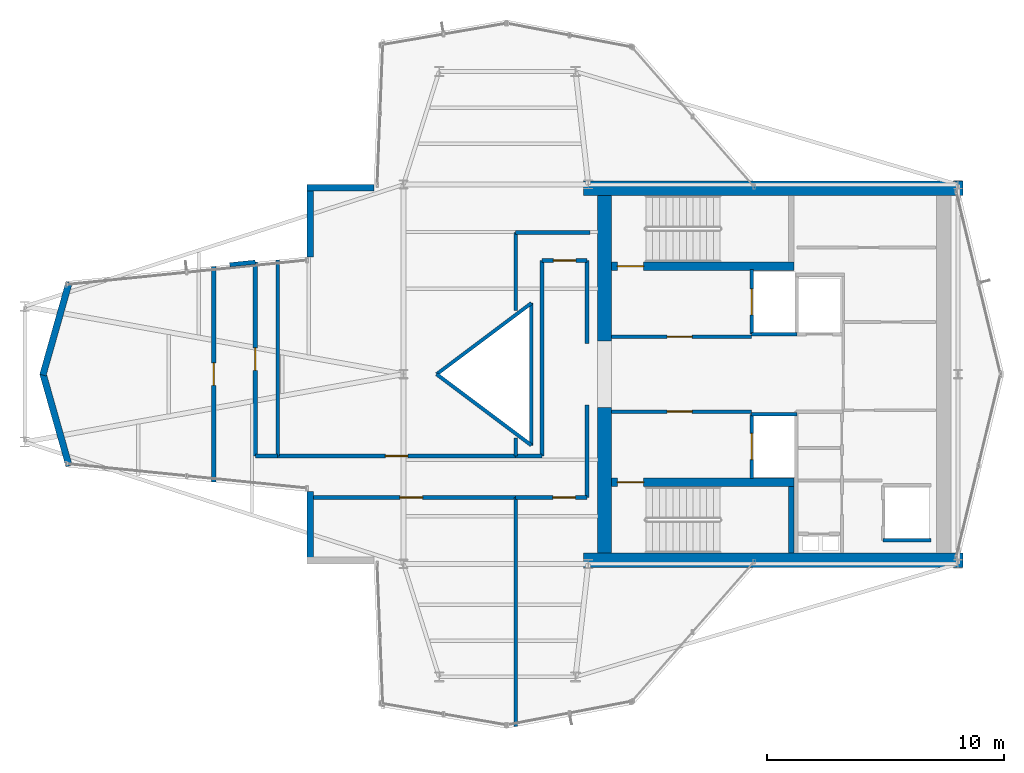
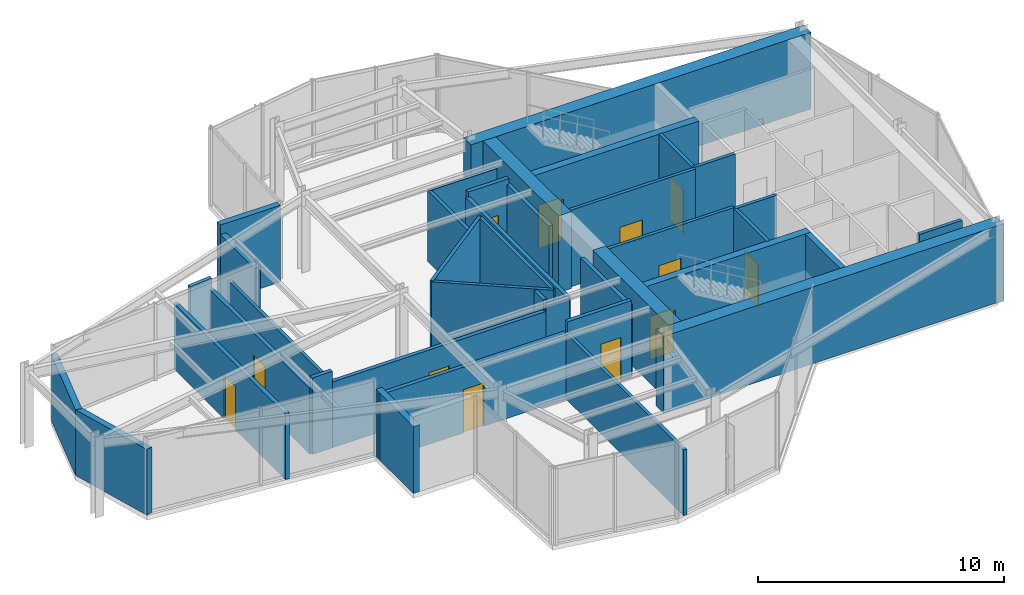
# One storey, part 13 of 15: 39 walls, 12 doors, 12 openings.
"""IFC4 building model written with IfcOpenShell, lengths in metres."""

from ifc_helpers import new_model, si_unit, direction, frame, frame_2d, origin, place, context, subcontext, project, spatial, rectangle, extrude, material, layer, layer_set, type_object, element, fill, save


model = new_model("IFC4")

# Units and contexts
model_context = context("Model", 3, precision=1e-05, world=origin(), true_north=direction((0.0, 1.0)))
body_context = subcontext(model_context, "Body", "Model", "MODEL_VIEW")
ifc_project = project(units=[si_unit("LENGTHUNIT", "METRE"), si_unit("AREAUNIT", "SQUARE_METRE"), si_unit("VOLUMEUNIT", "CUBIC_METRE"), si_unit("PLANEANGLEUNIT", "RADIAN"), si_unit("MASSUNIT", "GRAM", prefix="KILO")], contexts=[model_context])

# Site, building, storey
site_placement = place(None, origin())
site = spatial("IfcSite", under=ifc_project, at=site_placement, CompositionType="ELEMENT")
building_placement = place(site_placement, origin())
building = spatial("IfcBuilding", under=site, at=building_placement, Name="Veymaron Broadcast Tower", CompositionType="ELEMENT")
storey_placement = place(building_placement, frame((0.0, 0.0, 266.85009765625)))
storey = spatial("IfcBuildingStorey", under=building, at=storey_placement, Name="L62", CompositionType="ELEMENT", Elevation=266.85009765625)

# Walls
ifc_material_1 = material(Name="Precast concrete C40/50", Category="concrete")
ifc_layer_1 = layer(ifc_material_1, 0.280029296875)
ifc_layer_set_1 = layer_set([ifc_layer_1], Name="Precast concrete C40/50")
wall_type_1 = type_object("IfcWallType", Name="WALL-EXT-280", PredefinedType="STANDARD", material=ifc_layer_set_1)
wall_1_placement = place(storey_placement, frame((29.95361328125, 31.860107421875, 0.0), z_axis=(0.0, 0.0, 1.0), x_axis=(-1.0, 0.0, 0.0)))
element("IfcWall", 1, at=wall_1_placement, inside=storey, type_object=wall_type_1, Name="L62 notched corner facade pier 9-1", PredefinedType="STANDARD", context=body_context, shape_type="SweptSolid", body=[
    extrude(rectangle(XDim=2.83203125, YDim=0.280029296875, at=frame_2d((1.416015625, 0.0))), origin(), (0.0, 0.0, 1.0), 3.809814453125),
])
wall_2_placement = place(storey_placement, frame((27.26171875, 32.0, 0.0), z_axis=(0.0, 0.0, 1.0), x_axis=(0.0, -1.0, 0.0)))
element("IfcWall", 2, at=wall_2_placement, inside=storey, type_object=wall_type_1, Name="L62 notched corner facade pier 10-1", PredefinedType="STANDARD", context=body_context, shape_type="SweptSolid", body=[
    extrude(rectangle(XDim=3.05126953125, YDim=0.280029296875, at=frame_2d((1.525634765625, 0.0))), origin(), (0.0, 0.0, 1.0), 3.3388671875),
])
for number, where, z_axis, x_axis, name in (
    (3, (17.0947265625, 27.87744140625, 0.0), (0.0, 0.0, 1.0), (-0.27248594836, -0.962159762174, 0.0), "L62 notched corner facade pier 12-1"),
    (4, (15.98583984375, 24.0380859375, 0.0), (0.0, 0.0, 1.0), (0.27248594836, -0.962159762174, 0.0), "L62 notched corner facade pier 13-1"),
):
    element("IfcWall", number, at=place(storey_placement, frame(where, z_axis=z_axis, x_axis=x_axis)), inside=storey, type_object=wall_type_1, Name=name, PredefinedType="STANDARD", context=body_context, shape_type="SweptSolid", body=[
        extrude(rectangle(XDim=4.069580078125, YDim=0.280029296875, at=frame_2d((2.03466796875, 0.0))), origin(), (0.0, 0.0, 1.0), 3.27001953125),
    ])
wall_3_placement = place(storey_placement, frame((27.26171875, 19.05126953125, 0.0), z_axis=(0.0, 0.0, 1.0), x_axis=(0.0, -1.0, 0.0)))
element("IfcWall", 5, at=wall_3_placement, inside=storey, type_object=wall_type_1, Name="L62 notched corner facade pier 15-1", PredefinedType="STANDARD", context=body_context, shape_type="SweptSolid", body=[
    extrude(rectangle(XDim=3.05126953125, YDim=0.280029296875, at=frame_2d((1.525634765625, 0.0))), origin(), (0.0, 0.0, 1.0), 3.3388671875),
])

# Wall, opening, door
ifc_material_2 = material(Name="Gypsum fireboard and steel stud framing", Category="steel")
ifc_layer_2 = layer(ifc_material_2, 0.14990234375)
ifc_layer_set_2 = layer_set([ifc_layer_2], Name="Gypsum fireboard and steel stud framing")
wall_type_2 = type_object("IfcWallType", Name="WALL-FIRE-150", PredefinedType="PARTITIONING", material=ifc_layer_set_2)
wall_4_placement = place(storey_placement, frame((39.97998046875, 25.574951171875, 0.0), z_axis=(0.0, 0.0, 1.0), x_axis=(1.0, 0.0, 0.0)))
wall_4 = element("IfcWall", 6, at=wall_4_placement, inside=storey, type_object=wall_type_2, Name="L62 partition IW-L62-FFLN-S", PredefinedType="PARTITIONING", context=body_context, shape_type="SweptSolid", body=[
    extrude(rectangle(XDim=5.89990234375, YDim=0.14990234375, at=frame_2d((2.949951171875, 0.0))), origin(), (0.0, 0.0, 1.0), 3.809814453125),
])
opening_1_placement = place(wall_4_placement, frame((2.35009765625, 0.0, 0.0)))
opening_1 = element("IfcOpeningElement", 7, at=opening_1_placement, cuts=wall_4, Name="Opening ID-FL1", PredefinedType="OPENING", context=body_context, shape_type="SweptSolid", body=[
    extrude(rectangle(XDim=1.050048828125, YDim=2.14990234375, at=frame_2d((0.52490234375, 1.074951171875))), frame((0.0, 0.0849609375, 0.0), z_axis=(0.0, -1.0, 0.0), x_axis=(1.0, 0.0, 0.0)), (0.0, 0.0, 1.0), 0.169921875),
])
ifc_material_3 = material(Name="Fire-rated painted hollow steel ASTM A653", Category="steel")
door_type_1 = type_object("IfcDoorType", Name="DOOR-FIRE-1050", OperationType="NOTDEFINED", PredefinedType="DOOR", material=ifc_material_3)
door_1_placement = place(opening_1_placement, origin())
door_1 = element("IfcDoor", 8, at=door_1_placement, inside=storey, type_object=door_type_1, Name="L62 door DR-L62-FFLN", OperationType="SINGLE_SWING_LEFT", OverallHeight=2.14990234375, OverallWidth=1.050048828125, PredefinedType="DOOR", context=body_context, shape_type="SweptSolid", body=[
    extrude(rectangle(XDim=1.050048828125, YDim=2.14990234375, at=frame_2d((0.52490234375, 1.074951171875))), frame((0.0, 0.02490234375, 0.0), z_axis=(0.0, -1.0, 0.0), x_axis=(1.0, 0.0, 0.0)), (0.0, 0.0, 1.0), 0.050048828125),
])
fill(opening_1, door_1)

wall_5_placement = place(storey_placement, frame((39.97998046875, 22.425048828125, 0.0), z_axis=(0.0, 0.0, 1.0), x_axis=(1.0, 0.0, 0.0)))
wall_5 = element("IfcWall", 9, at=wall_5_placement, inside=storey, type_object=wall_type_2, Name="L62 partition IW-L62-FFLS-N", PredefinedType="PARTITIONING", context=body_context, shape_type="SweptSolid", body=[
    extrude(rectangle(XDim=5.89990234375, YDim=0.14990234375, at=frame_2d((2.949951171875, 0.0))), origin(), (0.0, 0.0, 1.0), 3.809814453125),
])
opening_2_placement = place(wall_5_placement, frame((2.35009765625, 0.0, 0.0)))
opening_2 = element("IfcOpeningElement", 10, at=opening_2_placement, cuts=wall_5, Name="Opening ID-FL1", PredefinedType="OPENING", context=body_context, shape_type="SweptSolid", body=[
    extrude(rectangle(XDim=1.050048828125, YDim=2.14990234375, at=frame_2d((0.52490234375, 1.074951171875))), frame((0.0, 0.0849609375, 0.0), z_axis=(0.0, -1.0, 0.0), x_axis=(1.0, 0.0, 0.0)), (0.0, 0.0, 1.0), 0.169921875),
])
door_2_placement = place(opening_2_placement, frame((1.050048828125, 0.0, 0.0), z_axis=(0.0, 0.0, 1.0), x_axis=(-1.0, 0.0, 0.0)))
door_2 = element("IfcDoor", 11, at=door_2_placement, inside=storey, type_object=door_type_1, Name="L62 door DR-L62-FFLS", OperationType="SINGLE_SWING_RIGHT", OverallHeight=2.14990234375, OverallWidth=1.050048828125, PredefinedType="DOOR", context=body_context, shape_type="SweptSolid", body=[
    extrude(rectangle(XDim=1.050048828125, YDim=2.14990234375, at=frame_2d((0.52490234375, 1.074951171875))), frame((0.0, 0.02490234375, 0.0), z_axis=(0.0, -1.0, 0.0), x_axis=(1.0, 0.0, 0.0)), (0.0, 0.0, 1.0), 0.050048828125),
])
fill(opening_2, door_2)

wall_6_placement = place(storey_placement, frame((45.89501953125, 25.68994140625, 0.0), z_axis=(0.0, 0.0, 1.0), x_axis=(0.0, 1.0, 0.0)))
wall_6 = element("IfcWall", 12, at=wall_6_placement, inside=storey, type_object=wall_type_2, Name="L62 partition IW-L62-SHW-FFL-1", PredefinedType="PARTITIONING", context=body_context, shape_type="SweptSolid", body=[
    extrude(rectangle(XDim=2.719970703125, YDim=0.14990234375, at=frame_2d((1.35986328125, 0.0))), origin(), (0.0, 0.0, 1.0), 3.809814453125),
])
opening_3_placement = place(wall_6_placement, frame((0.81005859375, 0.0, 0.0)))
opening_3 = element("IfcOpeningElement", 13, at=opening_3_placement, cuts=wall_6, Name="Opening LD", PredefinedType="OPENING", context=body_context, shape_type="SweptSolid", body=[
    extrude(rectangle(XDim=1.10009765625, YDim=2.14990234375, at=frame_2d((0.550048828125, 1.074951171875))), frame((0.0, 0.0849609375, 0.0), z_axis=(0.0, -1.0, 0.0), x_axis=(1.0, 0.0, 0.0)), (0.0, 0.0, 1.0), 0.169921875),
])
ifc_material_4 = material(Name="Brushed stainless steel AISI 304", Category="steel")
door_type_2 = type_object("IfcDoorType", Name="DOOR-LIFT-1100", OperationType="DOUBLE_DOOR_SLIDING", PredefinedType="DOOR", material=ifc_material_4)
door_3_placement = place(opening_3_placement, frame((1.10009765625, 0.0, 0.0), z_axis=(0.0, 0.0, 1.0), x_axis=(-1.0, 0.0, 0.0)))
door_3 = element("IfcDoor", 14, at=door_3_placement, inside=storey, type_object=door_type_2, Name="L62 door LD-L62-FFL-1", OperationType="DOUBLE_DOOR_SLIDING", OverallHeight=2.14990234375, OverallWidth=1.10009765625, PredefinedType="DOOR", context=body_context, shape_type="SweptSolid", body=[
    extrude(rectangle(XDim=1.10009765625, YDim=2.14990234375, at=frame_2d((0.550048828125, 1.074951171875))), frame((0.0, 0.02490234375, 0.0), z_axis=(0.0, -1.0, 0.0), x_axis=(1.0, 0.0, 0.0)), (0.0, 0.0, 1.0), 0.050048828125),
])
fill(opening_3, door_3)

# Wall
wall_7_placement = place(storey_placement, frame((45.89501953125, 25.68994140625, 0.0), z_axis=(0.0, 0.0, 1.0), x_axis=(1.0, 0.0, 0.0)))
element("IfcWall", 15, at=wall_7_placement, inside=storey, type_object=wall_type_2, Name="L62 partition IW-L62-SHS-FFL-1", PredefinedType="PARTITIONING", context=body_context, shape_type="SweptSolid", body=[
    extrude(rectangle(XDim=1.9150390625, YDim=0.14990234375, at=frame_2d((0.95751953125, 0.0))), origin(), (0.0, 0.0, 1.0), 3.809814453125),
])

# Wall, opening, door
wall_8_placement = place(storey_placement, frame((45.89501953125, 19.590087890625, 0.0), z_axis=(0.0, 0.0, 1.0), x_axis=(0.0, 1.0, 0.0)))
wall_8 = element("IfcWall", 16, at=wall_8_placement, inside=storey, type_object=wall_type_2, Name="L62 partition IW-L62-SHW-FFL-2", PredefinedType="PARTITIONING", context=body_context, shape_type="SweptSolid", body=[
    extrude(rectangle(XDim=2.719970703125, YDim=0.14990234375, at=frame_2d((1.35986328125, 0.0))), origin(), (0.0, 0.0, 1.0), 3.809814453125),
])
opening_4_placement = place(wall_8_placement, frame((0.81005859375, 0.0, 0.0)))
opening_4 = element("IfcOpeningElement", 17, at=opening_4_placement, cuts=wall_8, Name="Opening LD", PredefinedType="OPENING", context=body_context, shape_type="SweptSolid", body=[
    extrude(rectangle(XDim=1.10009765625, YDim=2.14990234375, at=frame_2d((0.550048828125, 1.074951171875))), frame((0.0, 0.0849609375, 0.0), z_axis=(0.0, -1.0, 0.0), x_axis=(1.0, 0.0, 0.0)), (0.0, 0.0, 1.0), 0.169921875),
])
door_4_placement = place(opening_4_placement, frame((1.10009765625, 0.0, 0.0), z_axis=(0.0, 0.0, 1.0), x_axis=(-1.0, 0.0, 0.0)))
door_4 = element("IfcDoor", 18, at=door_4_placement, inside=storey, type_object=door_type_2, Name="L62 door LD-L62-FFL-2", OperationType="DOUBLE_DOOR_SLIDING", OverallHeight=2.14990234375, OverallWidth=1.10009765625, PredefinedType="DOOR", context=body_context, shape_type="SweptSolid", body=[
    extrude(rectangle(XDim=1.10009765625, YDim=2.14990234375, at=frame_2d((0.550048828125, 1.074951171875))), frame((0.0, 0.02490234375, 0.0), z_axis=(0.0, -1.0, 0.0), x_axis=(1.0, 0.0, 0.0)), (0.0, 0.0, 1.0), 0.050048828125),
])
fill(opening_4, door_4)

# Walls
wall_9_placement = place(storey_placement, frame((45.89501953125, 22.31005859375, 0.0), z_axis=(0.0, 0.0, 1.0), x_axis=(1.0, 0.0, 0.0)))
element("IfcWall", 19, at=wall_9_placement, inside=storey, type_object=wall_type_2, Name="L62 partition IW-L62-SHN-FFL-2", PredefinedType="PARTITIONING", context=body_context, shape_type="SweptSolid", body=[
    extrude(rectangle(XDim=1.9150390625, YDim=0.14990234375, at=frame_2d((0.95751953125, 0.0))), origin(), (0.0, 0.0, 1.0), 3.809814453125),
])
wall_10_placement = place(storey_placement, frame((51.445068359375, 16.989990234375, 0.0), z_axis=(0.0, 0.0, 1.0), x_axis=(1.0, 0.0, 0.0)))
element("IfcWall", 20, at=wall_10_placement, inside=storey, type_object=wall_type_2, Name="L62 partition IW-L62-SHS-PH1", PredefinedType="PARTITIONING", context=body_context, shape_type="SweptSolid", body=[
    extrude(rectangle(XDim=2.014892578125, YDim=0.14990234375, at=frame_2d((1.00732421875, 0.0))), origin(), (0.0, 0.0, 1.0), 3.809814453125),
])

# Wall, opening, door
ifc_material_5 = material(Name="Concrete C40/50", Category="concrete")
ifc_layer_3 = layer(ifc_material_5, 0.179931640625)
ifc_layer_set_3 = layer_set([ifc_layer_3], Name="Concrete C40/50")
wall_type_3 = type_object("IfcWallType", Name="WALL-FIRE-180", PredefinedType="SOLIDWALL", material=ifc_layer_set_3)
wall_11_placement = place(storey_placement, frame((35.93798828125, 18.800048828125, 0.0), z_axis=(0.0, 0.0, 1.0), x_axis=(1.0, 0.0, 0.0)))
wall_11 = element("IfcWall", 21, at=wall_11_placement, inside=storey, type_object=wall_type_3, Name="L62 partition IW-L62-P02", PredefinedType="SOLIDWALL", context=body_context, shape_type="SweptSolid", body=[
    extrude(rectangle(XDim=3.011962890625, YDim=0.179931640625, at=frame_2d((1.505859375, 0.0))), origin(), (0.0, 0.0, 1.0), 3.809814453125),
])
opening_5_placement = place(wall_11_placement, frame((1.571044921875, 0.0, 0.0)))
opening_5 = element("IfcOpeningElement", 22, at=opening_5_placement, cuts=wall_11, Name="Opening ID-RM1", PredefinedType="OPENING", context=body_context, shape_type="SweptSolid", body=[
    extrude(rectangle(XDim=0.949951171875, YDim=2.14990234375, at=frame_2d((0.47509765625, 1.074951171875))), frame((0.0, 0.10009765625, 0.0), z_axis=(0.0, -1.0, 0.0), x_axis=(1.0, 0.0, 0.0)), (0.0, 0.0, 1.0), 0.199951171875),
])
ifc_material_6 = material(Name="Acoustic solid-core European oak veneer timber", Category="wood")
door_type_3 = type_object("IfcDoorType", Name="DOOR-INT-950", OperationType="NOTDEFINED", PredefinedType="DOOR", material=ifc_material_6)
door_5_placement = place(opening_5_placement, frame((0.949951171875, 0.0, 0.0), z_axis=(0.0, 0.0, 1.0), x_axis=(-1.0, 0.0, 0.0)))
door_5 = element("IfcDoor", 23, at=door_5_placement, inside=storey, type_object=door_type_3, Name="L62 door DR-L62-P02", OperationType="SINGLE_SWING_LEFT", OverallHeight=2.14990234375, OverallWidth=0.949951171875, PredefinedType="DOOR", context=body_context, shape_type="SweptSolid", body=[
    extrude(rectangle(XDim=0.949951171875, YDim=2.14990234375, at=frame_2d((0.47509765625, 1.074951171875))), frame((0.0, 0.02490234375, 0.0), z_axis=(0.0, -1.0, 0.0), x_axis=(1.0, 0.0, 0.0)), (0.0, 0.0, 1.0), 0.050048828125),
])
fill(opening_5, door_5)

wall_12_placement = place(storey_placement, frame((27.12158203125, 18.800048828125, 0.0), z_axis=(0.0, 0.0, 1.0), x_axis=(1.0, 0.0, 0.0)))
wall_12 = element("IfcWall", 24, at=wall_12_placement, inside=storey, type_object=wall_type_3, Name="L62 partition IW-L62-P03", PredefinedType="SOLIDWALL", context=body_context, shape_type="SweptSolid", body=[
    extrude(rectangle(XDim=8.81640625, YDim=0.179931640625, at=frame_2d((4.408203125, 0.0))), origin(), (0.0, 0.0, 1.0), 3.27001953125),
])
opening_6_placement = place(wall_12_placement, frame((3.93310546875, 0.0, 0.0)))
opening_6 = element("IfcOpeningElement", 25, at=opening_6_placement, cuts=wall_12, Name="Opening ID-RM1", PredefinedType="OPENING", context=body_context, shape_type="SweptSolid", body=[
    extrude(rectangle(XDim=0.949951171875, YDim=2.14990234375, at=frame_2d((0.47509765625, 1.074951171875))), frame((0.0, 0.10009765625, 0.0), z_axis=(0.0, -1.0, 0.0), x_axis=(1.0, 0.0, 0.0)), (0.0, 0.0, 1.0), 0.199951171875),
])
door_6_placement = place(opening_6_placement, frame((0.949951171875, 0.0, 0.0), z_axis=(0.0, 0.0, 1.0), x_axis=(-1.0, 0.0, 0.0)))
door_6 = element("IfcDoor", 26, at=door_6_placement, inside=storey, type_object=door_type_3, Name="L62 door DR-L62-P03", OperationType="SINGLE_SWING_RIGHT", OverallHeight=2.14990234375, OverallWidth=0.949951171875, PredefinedType="DOOR", context=body_context, shape_type="SweptSolid", body=[
    extrude(rectangle(XDim=0.949951171875, YDim=2.14990234375, at=frame_2d((0.47509765625, 1.074951171875))), frame((0.0, 0.02490234375, 0.0), z_axis=(0.0, -1.0, 0.0), x_axis=(1.0, 0.0, 0.0)), (0.0, 0.0, 1.0), 0.050048828125),
])
fill(opening_6, door_6)

wall_13_placement = place(storey_placement, frame((23.199951171875, 19.449951171875, 0.0), z_axis=(0.0, 0.0, 1.0), x_axis=(0.0, 1.0, 0.0)))
wall_13 = element("IfcWall", 27, at=wall_13_placement, inside=storey, type_object=wall_type_3, Name="L62 partition IW-L62-P04", PredefinedType="SOLIDWALL", context=body_context, shape_type="SweptSolid", body=[
    extrude(rectangle(XDim=9.10009765625, YDim=0.179931640625, at=frame_2d((4.550048828125, 0.0))), origin(), (0.0, 0.0, 1.0), 3.27001953125),
])
opening_7_placement = place(wall_13_placement, frame((4.0751953125, 0.0, 0.0)))
opening_7 = element("IfcOpeningElement", 28, at=opening_7_placement, cuts=wall_13, Name="Opening ID-RM1", PredefinedType="OPENING", context=body_context, shape_type="SweptSolid", body=[
    extrude(rectangle(XDim=0.949951171875, YDim=2.14990234375, at=frame_2d((0.47509765625, 1.074951171875))), frame((0.0, 0.10009765625, 0.0), z_axis=(0.0, -1.0, 0.0), x_axis=(1.0, 0.0, 0.0)), (0.0, 0.0, 1.0), 0.199951171875),
])
door_7_placement = place(opening_7_placement, origin())
door_7 = element("IfcDoor", 29, at=door_7_placement, inside=storey, type_object=door_type_3, Name="L62 door DR-L62-P04", OperationType="SINGLE_SWING_LEFT", OverallHeight=2.14990234375, OverallWidth=0.949951171875, PredefinedType="DOOR", context=body_context, shape_type="SweptSolid", body=[
    extrude(rectangle(XDim=0.949951171875, YDim=2.14990234375, at=frame_2d((0.47509765625, 1.074951171875))), frame((0.0, 0.02490234375, 0.0), z_axis=(0.0, -1.0, 0.0), x_axis=(1.0, 0.0, 0.0)), (0.0, 0.0, 1.0), 0.050048828125),
])
fill(opening_7, door_7)

wall_14_placement = place(storey_placement, frame((24.949951171875, 20.550048828125, 0.0), z_axis=(0.0, 0.0, 1.0), x_axis=(0.0, 1.0, 0.0)))
wall_14 = element("IfcWall", 30, at=wall_14_placement, inside=storey, type_object=wall_type_3, Name="L62 partition IW-L62-P05", PredefinedType="SOLIDWALL", context=body_context, shape_type="SweptSolid", body=[
    extrude(rectangle(XDim=8.177978515625, YDim=0.179931640625, at=frame_2d((4.0888671875, 0.0))), origin(), (0.0, 0.0, 1.0), 3.27001953125),
])
opening_8_placement = place(wall_14_placement, frame((3.614013671875, 0.0, 0.0)))
opening_8 = element("IfcOpeningElement", 31, at=opening_8_placement, cuts=wall_14, Name="Opening ID-RM1", PredefinedType="OPENING", context=body_context, shape_type="SweptSolid", body=[
    extrude(rectangle(XDim=0.949951171875, YDim=2.14990234375, at=frame_2d((0.47509765625, 1.074951171875))), frame((0.0, 0.10009765625, 0.0), z_axis=(0.0, -1.0, 0.0), x_axis=(1.0, 0.0, 0.0)), (0.0, 0.0, 1.0), 0.199951171875),
])
door_8_placement = place(opening_8_placement, frame((0.949951171875, 0.0, 0.0), z_axis=(0.0, 0.0, 1.0), x_axis=(-1.0, 0.0, 0.0)))
door_8 = element("IfcDoor", 32, at=door_8_placement, inside=storey, type_object=door_type_3, Name="L62 door DR-L62-P05", OperationType="SINGLE_SWING_RIGHT", OverallHeight=2.14990234375, OverallWidth=0.949951171875, PredefinedType="DOOR", context=body_context, shape_type="SweptSolid", body=[
    extrude(rectangle(XDim=0.949951171875, YDim=2.14990234375, at=frame_2d((0.47509765625, 1.074951171875))), frame((0.0, 0.02490234375, 0.0), z_axis=(0.0, -1.0, 0.0), x_axis=(1.0, 0.0, 0.0)), (0.0, 0.0, 1.0), 0.050048828125),
])
fill(opening_8, door_8)

wall_15_placement = place(storey_placement, frame((37.050048828125, 28.800048828125, 0.0), z_axis=(0.0, 0.0, 1.0), x_axis=(1.0, 0.0, 0.0)))
wall_15 = element("IfcWall", 33, at=wall_15_placement, inside=storey, type_object=wall_type_3, Name="L62 partition IW-L62-P10", PredefinedType="SOLIDWALL", context=body_context, shape_type="SweptSolid", body=[
    extrude(rectangle(XDim=1.89990234375, YDim=0.179931640625, at=frame_2d((0.949951171875, 0.0))), origin(), (0.0, 0.0, 1.0), 3.809814453125),
])
opening_9_placement = place(wall_15_placement, frame((0.47509765625, 0.0, 0.0)))
opening_9 = element("IfcOpeningElement", 34, at=opening_9_placement, cuts=wall_15, Name="Opening ID-RM1", PredefinedType="OPENING", context=body_context, shape_type="SweptSolid", body=[
    extrude(rectangle(XDim=0.949951171875, YDim=2.14990234375, at=frame_2d((0.47509765625, 1.074951171875))), frame((0.0, 0.10009765625, 0.0), z_axis=(0.0, -1.0, 0.0), x_axis=(1.0, 0.0, 0.0)), (0.0, 0.0, 1.0), 0.199951171875),
])
door_9_placement = place(opening_9_placement, origin())
door_9 = element("IfcDoor", 35, at=door_9_placement, inside=storey, type_object=door_type_3, Name="L62 door DR-L62-P10", OperationType="SINGLE_SWING_LEFT", OverallHeight=2.14990234375, OverallWidth=0.949951171875, PredefinedType="DOOR", context=body_context, shape_type="SweptSolid", body=[
    extrude(rectangle(XDim=0.949951171875, YDim=2.14990234375, at=frame_2d((0.47509765625, 1.074951171875))), frame((0.0, 0.02490234375, 0.0), z_axis=(0.0, -1.0, 0.0), x_axis=(1.0, 0.0, 0.0)), (0.0, 0.0, 1.0), 0.050048828125),
])
fill(opening_9, door_9)

wall_16_placement = place(storey_placement, frame((25.89501953125, 20.550048828125, 0.0), z_axis=(0.0, 0.0, 1.0), x_axis=(1.0, 0.0, 0.0)))
wall_16 = element("IfcWall", 36, at=wall_16_placement, inside=storey, type_object=wall_type_3, Name="L62 partition IW-L62-P12", PredefinedType="SOLIDWALL", context=body_context, shape_type="SweptSolid", body=[
    extrude(rectangle(XDim=10.04296875, YDim=0.179931640625, at=frame_2d((5.021484375, 0.0))), origin(), (0.0, 0.0, 1.0), 3.27001953125),
])
opening_10_placement = place(wall_16_placement, frame((4.54638671875, 0.0, 0.0)))
opening_10 = element("IfcOpeningElement", 37, at=opening_10_placement, cuts=wall_16, Name="Opening ID-RM1", PredefinedType="OPENING", context=body_context, shape_type="SweptSolid", body=[
    extrude(rectangle(XDim=0.949951171875, YDim=2.14990234375, at=frame_2d((0.47509765625, 1.074951171875))), frame((0.0, 0.10009765625, 0.0), z_axis=(0.0, -1.0, 0.0), x_axis=(1.0, 0.0, 0.0)), (0.0, 0.0, 1.0), 0.199951171875),
])
door_10_placement = place(opening_10_placement, origin())
door_10 = element("IfcDoor", 38, at=door_10_placement, inside=storey, type_object=door_type_3, Name="L62 door DR-L62-P12", OperationType="SINGLE_SWING_LEFT", OverallHeight=2.14990234375, OverallWidth=0.949951171875, PredefinedType="DOOR", context=body_context, shape_type="SweptSolid", body=[
    extrude(rectangle(XDim=0.949951171875, YDim=2.14990234375, at=frame_2d((0.47509765625, 1.074951171875))), frame((0.0, 0.02490234375, 0.0), z_axis=(0.0, -1.0, 0.0), x_axis=(1.0, 0.0, 0.0)), (0.0, 0.0, 1.0), 0.050048828125),
])
fill(opening_10, door_10)

# Walls
wall_17_placement = place(storey_placement, frame((38.949951171875, 18.800048828125, 0.0), z_axis=(0.0, 0.0, 1.0), x_axis=(0.0, 1.0, 0.0)))
element("IfcWall", 39, at=wall_17_placement, inside=storey, type_object=wall_type_3, Name="L62 partition IW-L62-P01", PredefinedType="SOLIDWALL", context=body_context, shape_type="SweptSolid", body=[
    extrude(rectangle(XDim=3.89990234375, YDim=0.179931640625, at=frame_2d((1.949951171875, 0.0))), origin(), (0.0, 0.0, 1.0), 3.539794921875),
])
wall_18_placement = place(storey_placement, frame((23.872314453125, 28.618408203125, 0.0), z_axis=(0.0, 0.0, 1.0), x_axis=(0.994866145346, 0.101199569384, 0.0)))
element("IfcWall", 40, at=wall_18_placement, inside=storey, type_object=wall_type_3, Name="L62 partition IW-L62-P06", PredefinedType="SOLIDWALL", context=body_context, shape_type="SweptSolid", body=[
    extrude(rectangle(XDim=1.083251953125, YDim=0.179931640625, at=frame_2d((0.54150390625, 0.0))), origin(), (0.0, 0.0, 1.0), 3.809814453125),
])
wall_19_placement = place(storey_placement, frame((24.949951171875, 20.550048828125, 0.0), z_axis=(0.0, 0.0, 1.0), x_axis=(1.0, 0.0, 0.0)))
element("IfcWall", 41, at=wall_19_placement, inside=storey, type_object=wall_type_3, Name="L62 partition IW-L62-P07", PredefinedType="SOLIDWALL", context=body_context, shape_type="SweptSolid", body=[
    extrude(rectangle(XDim=0.945068359375, YDim=0.179931640625, at=frame_2d((0.47265625, 0.0))), origin(), (0.0, 0.0, 1.0), 3.809814453125),
])
wall_20_placement = place(storey_placement, frame((37.050048828125, 20.550048828125, 0.0), z_axis=(0.0, 0.0, 1.0), x_axis=(0.0, 1.0, 0.0)))
element("IfcWall", 42, at=wall_20_placement, inside=storey, type_object=wall_type_3, Name="L62 partition IW-L62-P08", PredefinedType="SOLIDWALL", context=body_context, shape_type="SweptSolid", body=[
    extrude(rectangle(XDim=8.25, YDim=0.179931640625, at=frame_2d((4.125, 0.0))), origin(), (0.0, 0.0, 1.0), 3.539794921875),
])
wall_21_placement = place(storey_placement, frame((38.949951171875, 25.300048828125, 0.0), z_axis=(0.0, 0.0, 1.0), x_axis=(0.0, 1.0, 0.0)))
element("IfcWall", 43, at=wall_21_placement, inside=storey, type_object=wall_type_3, Name="L62 partition IW-L62-P09", PredefinedType="SOLIDWALL", context=body_context, shape_type="SweptSolid", body=[
    extrude(rectangle(XDim=3.5, YDim=0.179931640625, at=frame_2d((1.75, 0.0))), origin(), (0.0, 0.0, 1.0), 3.539794921875),
])
wall_22_placement = place(storey_placement, frame((35.93798828125, 20.550048828125, 0.0), z_axis=(0.0, 0.0, 1.0), x_axis=(1.0, 0.0, 0.0)))
element("IfcWall", 44, at=wall_22_placement, inside=storey, type_object=wall_type_3, Name="L62 partition IW-L62-P11", PredefinedType="SOLIDWALL", context=body_context, shape_type="SweptSolid", body=[
    extrude(rectangle(XDim=1.112060546875, YDim=0.179931640625, at=frame_2d((0.55615234375, 0.0))), origin(), (0.0, 0.0, 1.0), 3.539794921875),
])
ifc_material_7 = material(Name="Fire-rated laminated glass in aluminium frame", Category="aluminium")
ifc_layer_4 = layer(ifc_material_7, 0.14990234375)
ifc_layer_set_4 = layer_set([ifc_layer_4], Name="Fire-rated laminated glass in aluminium frame")
wall_type_4 = type_object("IfcWallType", Name="WALL-GLZ-150", PredefinedType="MOVABLE", material=ifc_layer_set_4)
wall_23_placement = place(storey_placement, frame((35.93798828125, 9.127685546875, 0.0), z_axis=(0.0, 0.0, 1.0), x_axis=(0.0, 1.0, 0.0)))
element("IfcWall", 45, at=wall_23_placement, inside=storey, type_object=wall_type_4, Name="L62 partition IW-L62-P13", PredefinedType="MOVABLE", context=body_context, shape_type="SweptSolid", body=[
    extrude(rectangle(XDim=9.67236328125, YDim=0.14990234375, at=frame_2d((4.836181640625, 0.0))), origin(), (0.0, 0.0, 1.0), 3.27001953125),
])
wall_24_placement = place(storey_placement, frame((25.89501953125, 20.550048828125, 0.0), z_axis=(0.0, 0.0, 1.0), x_axis=(0.0, 1.0, 0.0)))
element("IfcWall", 46, at=wall_24_placement, inside=storey, type_object=wall_type_4, Name="L62 partition IW-L62-P14", PredefinedType="MOVABLE", context=body_context, shape_type="SweptSolid", body=[
    extrude(rectangle(XDim=8.274169921875, YDim=0.14990234375, at=frame_2d((4.13720703125, 0.0))), origin(), (0.0, 0.0, 1.0), 3.27001953125),
])
wall_25_placement = place(storey_placement, frame((35.93798828125, 26.69091796875, 0.0), z_axis=(0.0, 0.0, 1.0), x_axis=(0.0, 1.0, 0.0)))
element("IfcWall", 47, at=wall_25_placement, inside=storey, type_object=wall_type_4, Name="L62 partition IW-L62-P15", PredefinedType="MOVABLE", context=body_context, shape_type="SweptSolid", body=[
    extrude(rectangle(XDim=3.287109375, YDim=0.14990234375, at=frame_2d((1.6435546875, 0.0))), origin(), (0.0, 0.0, 1.0), 3.539794921875),
])
wall_26_placement = place(storey_placement, frame((35.93798828125, 29.97802734375, 0.0), z_axis=(0.0, 0.0, 1.0), x_axis=(1.0, 0.0, 0.0)))
element("IfcWall", 48, at=wall_26_placement, inside=storey, type_object=wall_type_4, Name="L62 partition IW-L62-P16", PredefinedType="MOVABLE", context=body_context, shape_type="SweptSolid", body=[
    extrude(rectangle(XDim=3.14208984375, YDim=0.14990234375, at=frame_2d((1.571044921875, 0.0))), origin(), (0.0, 0.0, 1.0), 3.539794921875),
])
wall_27_placement = place(storey_placement, frame((35.93798828125, 20.550048828125, 0.0), z_axis=(0.0, 0.0, 1.0), x_axis=(0.0, 1.0, 0.0)))
element("IfcWall", 49, at=wall_27_placement, inside=storey, type_object=wall_type_4, Name="L62 partition IW-L62-P17", PredefinedType="MOVABLE", context=body_context, shape_type="SweptSolid", body=[
    extrude(rectangle(XDim=0.759033203125, YDim=0.14990234375, at=frame_2d((0.37939453125, 0.0))), origin(), (0.0, 0.0, 1.0), 3.809814453125),
])
wall_28_placement = place(storey_placement, frame((32.60009765625, 24.0, 0.0), z_axis=(0.0, 0.0, 1.0), x_axis=(0.8, -0.6, 0.0)))
element("IfcWall", 50, at=wall_28_placement, inside=storey, type_object=wall_type_4, Name="L62 partition IW-L62-ATR1", PredefinedType="MOVABLE", context=body_context, shape_type="SweptSolid", body=[
    extrude(rectangle(XDim=5.0, YDim=0.14990234375, at=frame_2d((2.5, 0.0))), origin(), (0.0, 0.0, 1.0), 3.809814453125),
])
wall_29_placement = place(storey_placement, frame((36.60009765625, 21.0, 0.0), z_axis=(0.0, 0.0, 1.0), x_axis=(0.0, 1.0, 0.0)))
element("IfcWall", 51, at=wall_29_placement, inside=storey, type_object=wall_type_4, Name="L62 partition IW-L62-ATR2", PredefinedType="MOVABLE", context=body_context, shape_type="SweptSolid", body=[
    extrude(rectangle(XDim=6.0, YDim=0.14990234375, at=frame_2d((3.0, 0.0))), origin(), (0.0, 0.0, 1.0), 3.809814453125),
])
wall_30_placement = place(storey_placement, frame((36.60009765625, 27.0, 0.0), z_axis=(0.0, 0.0, 1.0), x_axis=(-0.8, -0.6, 0.0)))
element("IfcWall", 52, at=wall_30_placement, inside=storey, type_object=wall_type_4, Name="L62 partition IW-L62-ATR3", PredefinedType="MOVABLE", context=body_context, shape_type="SweptSolid", body=[
    extrude(rectangle(XDim=5.0, YDim=0.14990234375, at=frame_2d((2.5, 0.0))), origin(), (0.0, 0.0, 1.0), 3.809814453125),
])
ifc_material_8 = material(Name="Concrete C50/60", Category="concrete")
ifc_layer_5 = layer(ifc_material_8, 0.25)
ifc_layer_set_5 = layer_set([ifc_layer_5], Name="Concrete C50/60")
wall_type_5 = type_object("IfcWallType", Name="WALL-SHEAR-250", PredefinedType="SHEAR", material=ifc_layer_set_5)
wall_31_placement = place(storey_placement, frame((47.56494140625, 16.449951171875, 0.0), z_axis=(0.0, 0.0, 1.0), x_axis=(0.0, 1.0, 0.0)))
element("IfcWall", 53, at=wall_31_placement, inside=storey, type_object=wall_type_5, Name="L62 Core Wall south stair east shear", PredefinedType="SHEAR", context=body_context, shape_type="SweptSolid", body=[
    extrude(rectangle(XDim=2.820068359375, YDim=0.25, at=frame_2d((1.41015625, 0.0))), origin(), (0.0, 0.0, 1.0), 3.809814453125),
])

# Wall, opening, door
ifc_layer_6 = layer(ifc_material_8, 0.35009765625)
ifc_layer_set_6 = layer_set([ifc_layer_6], Name="Concrete C50/60")
wall_type_6 = type_object("IfcWallType", Name="WALL-SHEAR-350", PredefinedType="SHEAR", material=ifc_layer_set_6)
wall_32_placement = place(storey_placement, frame((39.97998046875, 28.554931640625, 0.0), z_axis=(0.0, 0.0, 1.0), x_axis=(1.0, 0.0, 0.0)))
wall_32 = element("IfcWall", 54, at=wall_32_placement, inside=storey, type_object=wall_type_6, Name="L62 Core Wall north stair spine", PredefinedType="SHEAR", context=body_context, shape_type="SweptSolid", body=[
    extrude(rectangle(XDim=7.7099609375, YDim=0.35009765625, at=frame_2d((3.85498046875, 0.0))), origin(), (0.0, 0.0, 1.0), 3.809814453125),
])
opening_11_placement = place(wall_32_placement, frame((0.25, 0.0, 0.0)))
opening_11 = element("IfcOpeningElement", 55, at=opening_11_placement, cuts=wall_32, Name="Opening ID-ST1", PredefinedType="OPENING", context=body_context, shape_type="SweptSolid", body=[
    extrude(rectangle(XDim=1.10009765625, YDim=2.14990234375, at=frame_2d((0.550048828125, 1.074951171875))), frame((0.0, 0.18505859375, 0.0), z_axis=(0.0, -1.0, 0.0), x_axis=(1.0, 0.0, 0.0)), (0.0, 0.0, 1.0), 0.3701171875),
])
door_type_4 = type_object("IfcDoorType", Name="DOOR-STAIR-1100", OperationType="NOTDEFINED", PredefinedType="DOOR", material=ifc_material_3)
door_11_placement = place(opening_11_placement, origin())
door_11 = element("IfcDoor", 56, at=door_11_placement, inside=storey, type_object=door_type_4, Name="L62 exit stair ST1 fire door", OperationType="SINGLE_SWING_LEFT", OverallHeight=2.14990234375, OverallWidth=1.10009765625, PredefinedType="DOOR", context=body_context, shape_type="SweptSolid", body=[
    extrude(rectangle(XDim=1.10009765625, YDim=2.14990234375, at=frame_2d((0.550048828125, 1.074951171875))), frame((0.0, 0.02490234375, 0.0), z_axis=(0.0, -1.0, 0.0), x_axis=(1.0, 0.0, 0.0)), (0.0, 0.0, 1.0), 0.050048828125),
])
fill(opening_11, door_11)

wall_33_placement = place(storey_placement, frame((39.97998046875, 19.445068359375, 0.0), z_axis=(0.0, 0.0, 1.0), x_axis=(1.0, 0.0, 0.0)))
wall_33 = element("IfcWall", 57, at=wall_33_placement, inside=storey, type_object=wall_type_6, Name="L62 Core Wall south stair spine", PredefinedType="SHEAR", context=body_context, shape_type="SweptSolid", body=[
    extrude(rectangle(XDim=7.7099609375, YDim=0.35009765625, at=frame_2d((3.85498046875, 0.0))), origin(), (0.0, 0.0, 1.0), 3.809814453125),
])
opening_12_placement = place(wall_33_placement, frame((0.25, 0.0, 0.0)))
opening_12 = element("IfcOpeningElement", 58, at=opening_12_placement, cuts=wall_33, Name="Opening ID-ST1", PredefinedType="OPENING", context=body_context, shape_type="SweptSolid", body=[
    extrude(rectangle(XDim=1.10009765625, YDim=2.14990234375, at=frame_2d((0.550048828125, 1.074951171875))), frame((0.0, 0.18505859375, 0.0), z_axis=(0.0, -1.0, 0.0), x_axis=(1.0, 0.0, 0.0)), (0.0, 0.0, 1.0), 0.3701171875),
])
door_12_placement = place(opening_12_placement, frame((1.10009765625, 0.0, 0.0), z_axis=(0.0, 0.0, 1.0), x_axis=(-1.0, 0.0, 0.0)))
door_12 = element("IfcDoor", 59, at=door_12_placement, inside=storey, type_object=door_type_4, Name="L62 exit stair ST2 fire door", OperationType="SINGLE_SWING_RIGHT", OverallHeight=2.14990234375, OverallWidth=1.10009765625, PredefinedType="DOOR", context=body_context, shape_type="SweptSolid", body=[
    extrude(rectangle(XDim=1.10009765625, YDim=2.14990234375, at=frame_2d((0.550048828125, 1.074951171875))), frame((0.0, 0.02490234375, 0.0), z_axis=(0.0, -1.0, 0.0), x_axis=(1.0, 0.0, 0.0)), (0.0, 0.0, 1.0), 0.050048828125),
])
fill(opening_12, door_12)

# Walls
ifc_layer_7 = layer(ifc_material_8, 0.60009765625)
ifc_layer_set_7 = layer_set([ifc_layer_7], Name="Concrete C50/60")
wall_type_7 = type_object("IfcWallType", Name="WALL-SHEAR-600", PredefinedType="SHEAR", material=ifc_layer_set_7)
for number, where, z_axis, x_axis, name in (
    (60, (38.800048828125, 31.85009765625, 0.0), (0.0, 0.0, 1.0), (1.0, 0.0, 0.0), "L62 Core Wall north shear"),
    (61, (38.800048828125, 16.14990234375, 0.0), (0.0, 0.0, 1.0), (1.0, 0.0, 0.0), "L62 Core Wall south shear"),
):
    element("IfcWall", number, at=place(storey_placement, frame(where, z_axis=z_axis, x_axis=x_axis)), inside=storey, type_object=wall_type_7, Name=name, PredefinedType="SHEAR", context=body_context, shape_type="SweptSolid", body=[
        extrude(rectangle(XDim=16.0, YDim=0.60009765625, at=frame_2d((8.0, 0.0))), origin(), (0.0, 0.0, 1.0), 3.809814453125),
    ])
for number, where, z_axis, x_axis, name in (
    (62, (39.679931640625, 16.449951171875, 0.0), (0.0, 0.0, 1.0), (0.0, 1.0, 0.0), "L62 Core Wall west-south shear"),
    (63, (39.679931640625, 25.39990234375, 0.0), (0.0, 0.0, 1.0), (0.0, 1.0, 0.0), "L62 Core Wall west-north shear"),
):
    element("IfcWall", number, at=place(storey_placement, frame(where, z_axis=z_axis, x_axis=x_axis)), inside=storey, type_object=wall_type_7, Name=name, PredefinedType="SHEAR", context=body_context, shape_type="SweptSolid", body=[
        extrude(rectangle(XDim=6.150146484375, YDim=0.60009765625, at=frame_2d((3.0751953125, 0.0))), origin(), (0.0, 0.0, 1.0), 3.809814453125),
    ])

save(model, "model.ifc")
